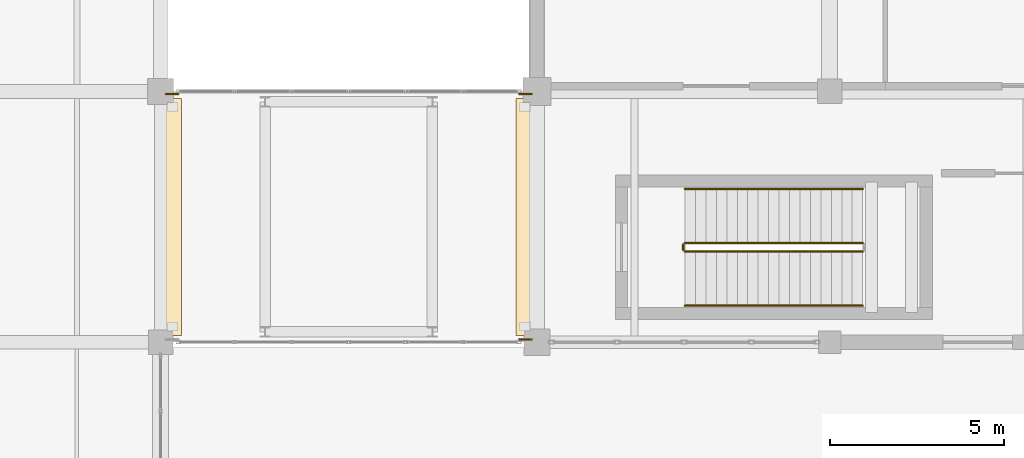
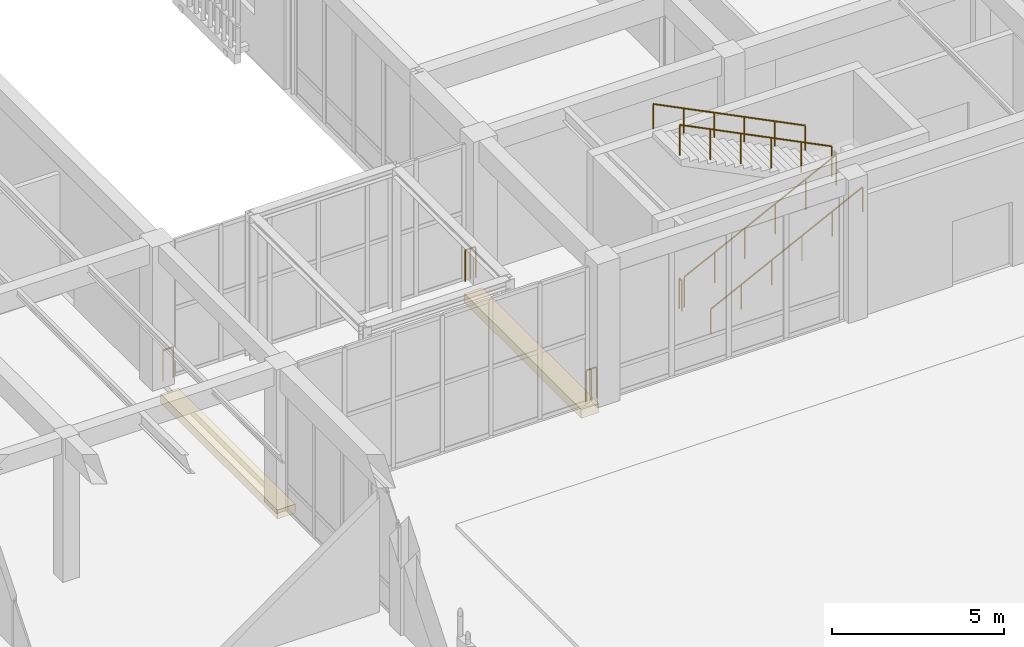
# One storey, part 154 of 169: 8 railings, 2 coverings.
"""IFC4 building model written with IfcOpenShell, lengths in metres."""

from ifc_helpers import new_model, si_unit, direction, frame, origin, origin_2d, place, context, subcontext, project, spatial, polyline, circle, outline, extrude, material, layer, layer_set, type_object, element, save


model = new_model("IFC4")

# Units and contexts
model_context = context("Model", 3, precision=1e-05, world=origin(), true_north=direction((0.0, 1.0)))
body_context = subcontext(model_context, "Body", "Model", "MODEL_VIEW")
ifc_project = project(units=[si_unit("LENGTHUNIT", "METRE"), si_unit("AREAUNIT", "SQUARE_METRE"), si_unit("VOLUMEUNIT", "CUBIC_METRE"), si_unit("PLANEANGLEUNIT", "RADIAN"), si_unit("MASSUNIT", "GRAM", prefix="KILO")], contexts=[model_context])

# Site, building, storey
site_placement = place(None, origin())
site = spatial("IfcSite", under=ifc_project, at=site_placement, CompositionType="ELEMENT")
building_placement = place(site_placement, origin())
building = spatial("IfcBuilding", under=site, at=building_placement, Name="Mazaris Harbour Polytechnic", CompositionType="ELEMENT")
storey_placement = place(building_placement, origin())
storey = spatial("IfcBuildingStorey", under=building, at=storey_placement, Name="L00", CompositionType="ELEMENT", Elevation=0.0)

# Coverings
ifc_material_1 = material(Name="Concrete C40/50", Category="concrete")
ifc_layer = layer(ifc_material_1, 0.320068359375, Name="Concrete C40/50")
ifc_layer_set = layer_set([ifc_layer], Name="Concrete C40/50")
covering_type = type_object("IfcCoveringType", Name="Bridge Bearing Corbel 600 Exterior", PredefinedType="CLADDING", material=ifc_layer_set)
covering_1_placement = place(storey_placement, frame((0.0, 0.0, -0.64990234375)))
element("IfcCovering", 1, at=covering_1_placement, inside=storey, type_object=covering_type, Name="PB-W2 L00 600mm Bridge Bearing Seat Corbel W", PredefinedType="CLADDING", context=body_context, shape_type="SweptSolid", body=[
    extrude(outline(polyline([(43.199951171875, 75.800048828125), (43.800048828125, 75.800048828125), (43.800048828125, 82.60009765625), (43.199951171875, 82.60009765625), (43.199951171875, 75.800048828125)])), origin(), (0.0, 0.0, 1.0), 0.31982421875),
])
covering_2_placement = place(storey_placement, frame((0.0, 0.0, -0.64990234375)))
element("IfcCovering", 2, at=covering_2_placement, inside=storey, type_object=covering_type, Name="PB-W2 L00 600mm Bridge Bearing Seat Corbel E", PredefinedType="CLADDING", context=body_context, shape_type="SweptSolid", body=[
    extrude(outline(polyline([(53.39990234375, 75.800048828125), (54.0, 75.800048828125), (54.0, 82.60009765625), (53.39990234375, 82.60009765625), (53.39990234375, 75.800048828125)])), origin(), (0.0, 0.0, 1.0), 0.31982421875),
])

# Railings
ifc_material_2 = material(Name="Steel S355", Category="steel")
railing_type_1 = type_object("IfcRailingType", Name="Mezzanine Steel Guardrail 1100 Exterior", PredefinedType="GUARDRAIL", material=ifc_material_2)
railing_1_placement = place(storey_placement, frame((53.5, 75.679931640625, 0.0)))
element("IfcRailing", 3, at=railing_1_placement, inside=storey, type_object=railing_type_1, Name="PB-W2 L00 Bridge End Guard E0", PredefinedType="GUARDRAIL", context=body_context, shape_type="SweptSolid", body=[
    extrude(circle(Radius=0.02392578125, at=origin_2d()), frame((0.0, 0.0, 1.09619140625), z_axis=(1.0, 0.0, 0.0), x_axis=(0.0, 1.0, 0.0)), (0.0, 0.0, 1.0), 0.35009765625),
    extrude(circle(Radius=0.02099609375, at=origin_2d()), origin(), (0.0, 0.0, 1.0), 1.072021484375),
    extrude(circle(Radius=0.02099609375, at=origin_2d()), frame((0.175048828125, 0.0, 0.0)), (0.0, 0.0, 1.0), 1.072021484375),
    extrude(circle(Radius=0.02099609375, at=origin_2d()), frame((0.35009765625, 0.0, 0.0)), (0.0, 0.0, 1.0), 1.072021484375),
])
railing_2_placement = place(storey_placement, frame((43.35009765625, 82.719970703125, 0.0)))
element("IfcRailing", 4, at=railing_2_placement, inside=storey, type_object=railing_type_1, Name="PB-W2 L00 Bridge End Guard W1", PredefinedType="GUARDRAIL", context=body_context, shape_type="SweptSolid", body=[
    extrude(circle(Radius=0.02392578125, at=origin_2d()), frame((0.0, 0.0, 1.09619140625), z_axis=(1.0, 0.0, 0.0), x_axis=(0.0, 1.0, 0.0)), (0.0, 0.0, 1.0), 0.349853515625),
    extrude(circle(Radius=0.02099609375, at=origin_2d()), origin(), (0.0, 0.0, 1.0), 1.072021484375),
    extrude(circle(Radius=0.02099609375, at=origin_2d()), frame((0.349853515625, 0.0, 0.0)), (0.0, 0.0, 1.0), 1.072021484375),
])
railing_3_placement = place(storey_placement, frame((53.5, 82.719970703125, 0.0)))
element("IfcRailing", 5, at=railing_3_placement, inside=storey, type_object=railing_type_1, Name="PB-W2 L00 Bridge End Guard E1", PredefinedType="GUARDRAIL", context=body_context, shape_type="SweptSolid", body=[
    extrude(circle(Radius=0.02392578125, at=origin_2d()), frame((0.0, 0.0, 1.09619140625), z_axis=(1.0, 0.0, 0.0), x_axis=(0.0, 1.0, 0.0)), (0.0, 0.0, 1.0), 0.35009765625),
    extrude(circle(Radius=0.02099609375, at=origin_2d()), origin(), (0.0, 0.0, 1.0), 1.072021484375),
    extrude(circle(Radius=0.02099609375, at=origin_2d()), frame((0.175048828125, 0.0, 0.0)), (0.0, 0.0, 1.0), 1.072021484375),
    extrude(circle(Radius=0.02099609375, at=origin_2d()), frame((0.35009765625, 0.0, 0.0)), (0.0, 0.0, 1.0), 1.072021484375),
])
ifc_material_3 = material(Name="Stainless Steel S355", Category="steel")
railing_type_2 = type_object("IfcRailingType", Name="Stair Wall Handrail 900", PredefinedType="HANDRAIL", material=ifc_material_3)
railing_4_placement = place(storey_placement, frame((58.25, 76.64990234375, 0.14990234375)))
element("IfcRailing", 6, at=railing_4_placement, inside=storey, type_object=railing_type_2, Name="L00 ST01 stair handrail 1", PredefinedType="HANDRAIL", context=body_context, shape_type="SweptSolid", body=[
    extrude(circle(Radius=0.02392578125, at=origin_2d()), frame((0.0, 0.0, 0.8759765625), z_axis=(0.894427191, 0.0, 0.4472135955), x_axis=(0.0, 1.0, 0.0)), (0.0, 0.0, 1.0), 5.7021484375),
    extrude(circle(Radius=0.02099609375, at=origin_2d()), origin(), (0.0, 0.0, 1.0), 0.851806640625),
    extrude(circle(Radius=0.02099609375, at=origin_2d()), frame((1.02001953125, 0.0, 0.510009765625)), (0.0, 0.0, 1.0), 0.851806640625),
    extrude(circle(Radius=0.02099609375, at=origin_2d()), frame((2.0400390625, 0.0, 1.02001953125)), (0.0, 0.0, 1.0), 0.851806640625),
    extrude(circle(Radius=0.02099609375, at=origin_2d()), frame((3.06005859375, 0.0, 1.530029296875)), (0.0, 0.0, 1.0), 0.851806640625),
    extrude(circle(Radius=0.02099609375, at=origin_2d()), frame((4.080078125, 0.0, 2.0400390625)), (0.0, 0.0, 1.0), 0.851806640625),
    extrude(circle(Radius=0.02099609375, at=origin_2d()), frame((5.10009765625, 0.0, 2.550048828125)), (0.0, 0.0, 1.0), 0.851806640625),
])
railing_5_placement = place(storey_placement, frame((63.35009765625, 80.0, 2.85009765625)))
element("IfcRailing", 7, at=railing_5_placement, inside=storey, type_object=railing_type_2, Name="L00 ST01 stair handrail 2", PredefinedType="HANDRAIL", context=body_context, shape_type="SweptSolid", body=[
    extrude(circle(Radius=0.02392578125, at=origin_2d()), frame((0.0, 0.0, 0.8759765625), z_axis=(-0.89444431709, 0.0, 0.44717934168), x_axis=(0.0, -1.0, 0.0)), (0.0, 0.0, 1.0), 5.701904296875),
    extrude(circle(Radius=0.02099609375, at=origin_2d()), origin(), (0.0, 0.0, 1.0), 0.851806640625),
    extrude(circle(Radius=0.02099609375, at=origin_2d()), frame((-1.02001953125, 0.0, 0.510009765625)), (0.0, 0.0, 1.0), 0.851806640625),
    extrude(circle(Radius=0.02099609375, at=origin_2d()), frame((-2.0400390625, 0.0, 1.02001953125)), (0.0, 0.0, 1.0), 0.851806640625),
    extrude(circle(Radius=0.02099609375, at=origin_2d()), frame((-3.06005859375, 0.0, 1.52978515625)), (0.0, 0.0, 1.0), 0.851806640625),
    extrude(circle(Radius=0.02099609375, at=origin_2d()), frame((-4.080078125, 0.0, 2.039794921875)), (0.0, 0.0, 1.0), 0.851806640625),
    extrude(circle(Radius=0.02099609375, at=origin_2d()), frame((-5.10009765625, 0.0, 2.5498046875)), (0.0, 0.0, 1.0), 0.851806640625),
])
ifc_material_4 = material(Name="Steel S355", Category="steel")
railing_type_3 = type_object("IfcRailingType", Name="Stair Well Guardrail 1100", PredefinedType="GUARDRAIL", material=ifc_material_4)
railing_6_placement = place(storey_placement, frame((58.25, 78.199951171875, 0.14990234375)))
element("IfcRailing", 8, at=railing_6_placement, inside=storey, type_object=railing_type_3, Name="L00 ST01 stair guard 1", PredefinedType="GUARDRAIL", context=body_context, shape_type="SweptSolid", body=[
    extrude(circle(Radius=0.02392578125, at=origin_2d()), frame((0.0, 0.0, 1.076171875), z_axis=(0.894427191, 0.0, 0.4472135955), x_axis=(0.0, 1.0, 0.0)), (0.0, 0.0, 1.0), 5.7021484375),
    extrude(circle(Radius=0.02099609375, at=origin_2d()), origin(), (0.0, 0.0, 1.0), 1.052001953125),
    extrude(circle(Radius=0.02099609375, at=origin_2d()), frame((1.02001953125, 0.0, 0.510009765625)), (0.0, 0.0, 1.0), 1.052001953125),
    extrude(circle(Radius=0.02099609375, at=origin_2d()), frame((2.0400390625, 0.0, 1.02001953125)), (0.0, 0.0, 1.0), 1.052001953125),
    extrude(circle(Radius=0.02099609375, at=origin_2d()), frame((3.06005859375, 0.0, 1.530029296875)), (0.0, 0.0, 1.0), 1.052001953125),
    extrude(circle(Radius=0.02099609375, at=origin_2d()), frame((4.080078125, 0.0, 2.0400390625)), (0.0, 0.0, 1.0), 1.052001953125),
    extrude(circle(Radius=0.02099609375, at=origin_2d()), frame((5.10009765625, 0.0, 2.550048828125)), (0.0, 0.0, 1.0), 1.052001953125),
])
railing_7_placement = place(storey_placement, frame((63.35009765625, 78.449951171875, 2.85009765625)))
element("IfcRailing", 9, at=railing_7_placement, inside=storey, type_object=railing_type_3, Name="L00 ST01 stair guard 3", PredefinedType="GUARDRAIL", context=body_context, shape_type="SweptSolid", body=[
    extrude(circle(Radius=0.02392578125, at=origin_2d()), frame((0.0, 0.0, 1.076171875), z_axis=(-0.89444431709, 0.0, 0.44717934168), x_axis=(0.0, -1.0, 0.0)), (0.0, 0.0, 1.0), 5.701904296875),
    extrude(circle(Radius=0.02099609375, at=origin_2d()), origin(), (0.0, 0.0, 1.0), 1.052001953125),
    extrude(circle(Radius=0.02099609375, at=origin_2d()), frame((-1.02001953125, 0.0, 0.510009765625)), (0.0, 0.0, 1.0), 1.052001953125),
    extrude(circle(Radius=0.02099609375, at=origin_2d()), frame((-2.0400390625, 0.0, 1.02001953125)), (0.0, 0.0, 1.0), 1.052001953125),
    extrude(circle(Radius=0.02099609375, at=origin_2d()), frame((-3.06005859375, 0.0, 1.52978515625)), (0.0, 0.0, 1.0), 1.052001953125),
    extrude(circle(Radius=0.02099609375, at=origin_2d()), frame((-4.080078125, 0.0, 2.039794921875)), (0.0, 0.0, 1.0), 1.052001953125),
    extrude(circle(Radius=0.02099609375, at=origin_2d()), frame((-5.10009765625, 0.0, 2.5498046875)), (0.0, 0.0, 1.0), 1.052001953125),
])
railing_8_placement = place(storey_placement, frame((58.199951171875, 78.25, 0.0)))
element("IfcRailing", 10, at=railing_8_placement, inside=storey, type_object=railing_type_3, Name="L00 ST01 stair guard 4", PredefinedType="GUARDRAIL", context=body_context, shape_type="SweptSolid", body=[
    extrude(circle(Radius=0.02392578125, at=origin_2d()), frame((0.0, 0.0, 1.076171875), z_axis=(0.0, 1.0, 0.0), x_axis=(-1.0, 0.0, 0.0)), (0.0, 0.0, 1.0), 0.14990234375),
    extrude(circle(Radius=0.02099609375, at=origin_2d()), origin(), (0.0, 0.0, 1.0), 1.052001953125),
    extrude(circle(Radius=0.02099609375, at=origin_2d()), frame((0.0, 0.14990234375, 0.0)), (0.0, 0.0, 1.0), 1.052001953125),
])

save(model, "model.ifc")
